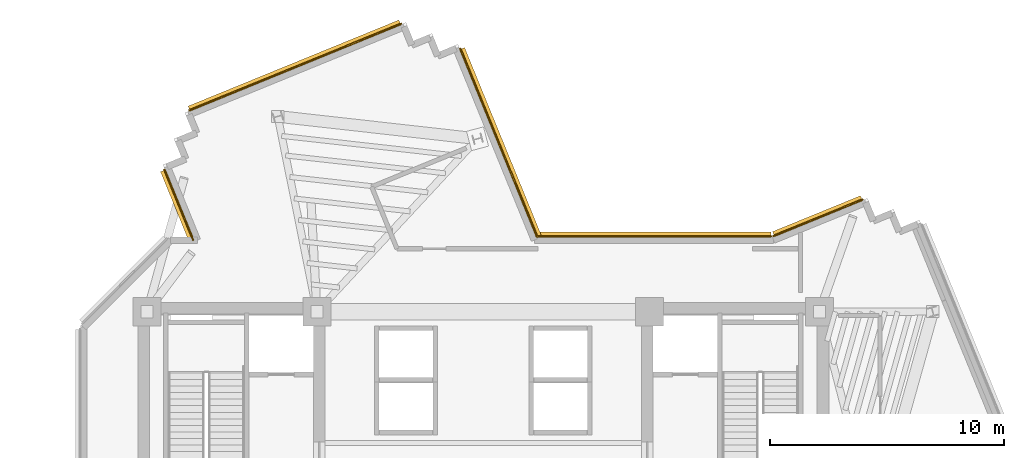
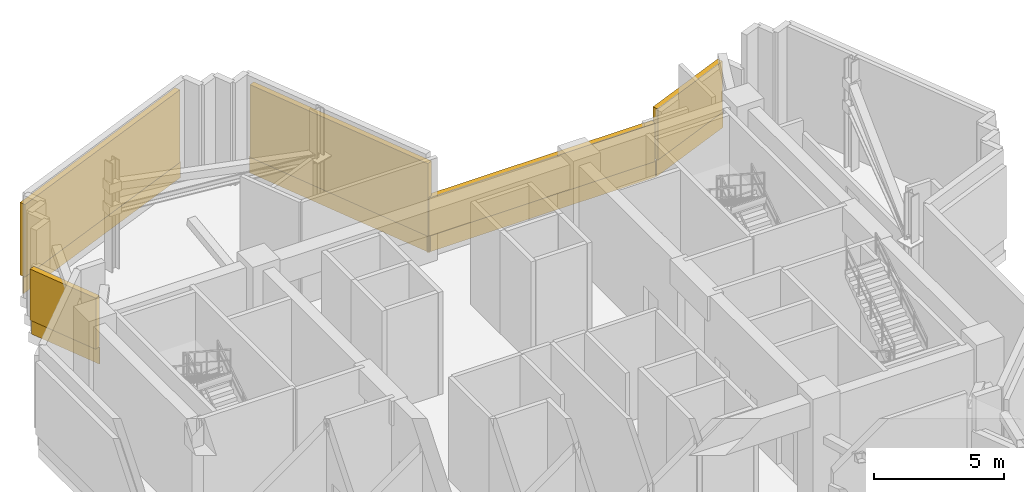
# One storey, part 11 of 11: 5 coverings, 5 shading devices.
"""IFC4 building model written with IfcOpenShell, lengths in metres."""

from ifc_helpers import new_model, si_unit, direction, frame, origin, origin_2d, place, context, subcontext, project, spatial, rectangle, extrude, source, transform, mapped, material, layer, layer_set, type_object, element, save


model = new_model("IFC4")

# Units and contexts
model_context = context("Model", 3, precision=1e-05, world=origin(), true_north=direction((0.0, 1.0)))
body_context = subcontext(model_context, "Body", "Model", "MODEL_VIEW")
ifc_project = project(units=[si_unit("LENGTHUNIT", "METRE"), si_unit("AREAUNIT", "SQUARE_METRE"), si_unit("VOLUMEUNIT", "CUBIC_METRE"), si_unit("PLANEANGLEUNIT", "RADIAN"), si_unit("MASSUNIT", "GRAM", prefix="KILO")], contexts=[model_context])

# Site, building, storey
site_placement = place(None, origin())
site = spatial("IfcSite", under=ifc_project, at=site_placement, CompositionType="ELEMENT")
building_placement = place(site_placement, origin())
building = spatial("IfcBuilding", under=site, at=building_placement, Name="Zahravan Cultural Tower", CompositionType="ELEMENT")
storey_placement = place(building_placement, frame((0.0, 0.0, 229.199951171875)))
storey = spatial("IfcBuildingStorey", under=building, at=storey_placement, Name="L54", CompositionType="ELEMENT", Elevation=229.199951171875)

# Covering
ifc_material_1 = material(Name="Terracotta ceramic cladding", Category="masonry")
ifc_layer = layer(ifc_material_1, 0.06005859375)
ifc_layer_set = layer_set([ifc_layer], Name="Terracotta ceramic cladding")
covering_type = type_object("IfcCoveringType", Name="COV-CLAD-TC60", PredefinedType="CLADDING", material=ifc_layer_set)
shared_shape_1 = source(origin(), body_context, "Body", "SweptSolid", [
    extrude(rectangle(XDim=9.820068359375, YDim=0.06005859375, at=origin_2d()), origin(), (0.0, 0.0, 1.0), 0.760009765625),
])
covering_1_placement = place(storey_placement, frame((27.968994140625, 46.64697265625, 0.02001953125), z_axis=(0.0, 0.0, 1.0), x_axis=(0.925652810583, 0.378373987294, 0.0)))
element("IfcCovering", 1, at=covering_1_placement, inside=storey, type_object=covering_type, Name="L54 Terracotta Spandrel Cladding 46", PredefinedType="CLADDING", context=body_context, shape_type="MappedRepresentation", body=[
    mapped(shared_shape_1, transform((0.0, 0.0, 0.0), x_axis=(1.0, 0.0, 0.0), y_axis=(0.0, 1.0, 0.0), z_axis=(0.0, 0.0, 1.0), scale=1.0)),
])

# Shading device
ifc_material_2 = material(Name="Architectural terracotta fin", Category="masonry")
shading_device_type = type_object("IfcShadingDeviceType", Name="SHD-LOUVRE-BAND", PredefinedType="JALOUSIE", material=ifc_material_2)
shared_shape_2 = source(origin(), body_context, "Body", "SweptSolid", [
    extrude(rectangle(XDim=9.719970703125, YDim=0.239990234375, at=origin_2d()), origin(), (0.0, 0.0, 1.0), 3.39990234375),
])
shading_device_1_placement = place(storey_placement, frame((27.9443359375, 46.70703125, 0.780029296875), z_axis=(0.0, 0.0, 1.0), x_axis=(0.925652810583, 0.378373987294, 0.0)))
element("IfcShadingDevice", 2, at=shading_device_1_placement, inside=storey, type_object=shading_device_type, Name="L54 Terracotta Acoustic Louvre 16", PredefinedType="JALOUSIE", context=body_context, shape_type="MappedRepresentation", body=[
    mapped(shared_shape_2, transform((0.0, 0.0, 0.0), x_axis=(1.0, 0.0, 0.0), y_axis=(0.0, 1.0, 0.0), z_axis=(0.0, 0.0, 1.0), scale=1.0)),
])

# Covering
shared_shape_3 = source(origin(), body_context, "Body", "SweptSolid", [
    extrude(rectangle(XDim=4.1513671875, YDim=0.06005859375, at=origin_2d()), origin(), (0.0, 0.0, 1.0), 0.760009765625),
])
covering_2_placement = place(storey_placement, frame((50.296142578125, 40.217041015625, 0.02001953125), z_axis=(0.0, 0.0, 1.0), x_axis=(0.925652810583, 0.378373987294, 0.0)))
element("IfcCovering", 3, at=covering_2_placement, inside=storey, type_object=covering_type, Name="L54 Terracotta Spandrel Cladding 01", PredefinedType="CLADDING", context=body_context, shape_type="MappedRepresentation", body=[
    mapped(shared_shape_3, transform((0.0, 0.0, 0.0), x_axis=(1.0, 0.0, 0.0), y_axis=(0.0, 1.0, 0.0), z_axis=(0.0, 0.0, 1.0), scale=1.0)),
])

# Shading device
shared_shape_4 = source(origin(), body_context, "Body", "SweptSolid", [
    extrude(rectangle(XDim=4.051513671875, YDim=0.239990234375, at=origin_2d()), origin(), (0.0, 0.0, 1.0), 2.39208984375),
])
shading_device_2_placement = place(storey_placement, frame((50.271484375, 40.277099609375, 0.780029296875), z_axis=(0.0, 0.0, 1.0), x_axis=(0.925652810583, 0.378373987294, 0.0)))
element("IfcShadingDevice", 4, at=shading_device_2_placement, inside=storey, type_object=shading_device_type, Name="L54 Terracotta Acoustic Louvre 01", PredefinedType="JALOUSIE", context=body_context, shape_type="MappedRepresentation", body=[
    mapped(shared_shape_4, transform((0.0, 0.0, 0.0), x_axis=(1.0, 0.0, 0.0), y_axis=(0.0, 1.0, 0.0), z_axis=(0.0, 0.0, 1.0), scale=1.0)),
])

# Covering
shared_shape_5 = source(origin(), body_context, "Body", "SweptSolid", [
    extrude(rectangle(XDim=3.29296875, YDim=0.06005859375, at=origin_2d()), origin(), (0.0, 0.0, 1.0), 0.760009765625),
])
covering_3_placement = place(storey_placement, frame((22.9990234375, 40.767822265625, 0.02001953125), z_axis=(0.0, 0.0, 1.0), x_axis=(-0.378390142925, 0.92564620657, 0.0)))
element("IfcCovering", 5, at=covering_3_placement, inside=storey, type_object=covering_type, Name="L54 Terracotta Spandrel Cladding 41", PredefinedType="CLADDING", context=body_context, shape_type="MappedRepresentation", body=[
    mapped(shared_shape_5, transform((0.0, 0.0, 0.0), x_axis=(1.0, 0.0, 0.0), y_axis=(0.0, 1.0, 0.0), z_axis=(0.0, 0.0, 1.0), scale=1.0)),
])

# Shading device
shared_shape_6 = source(origin(), body_context, "Body", "SweptSolid", [
    extrude(rectangle(XDim=3.19287109375, YDim=0.239990234375, at=origin_2d()), origin(), (0.0, 0.0, 1.0), 2.39208984375),
])
shading_device_3_placement = place(storey_placement, frame((22.938720703125, 40.743408203125, 0.780029296875), z_axis=(0.0, 0.0, 1.0), x_axis=(-0.378390142925, 0.92564620657, 0.0)))
element("IfcShadingDevice", 6, at=shading_device_3_placement, inside=storey, type_object=shading_device_type, Name="L54 Terracotta Acoustic Louvre 15", PredefinedType="JALOUSIE", context=body_context, shape_type="MappedRepresentation", body=[
    mapped(shared_shape_6, transform((0.0, 0.0, 0.0), x_axis=(1.0, 0.0, 0.0), y_axis=(0.0, 1.0, 0.0), z_axis=(0.0, 0.0, 1.0), scale=1.0)),
])

# Covering
shared_shape_7 = source(origin(), body_context, "Body", "SweptSolid", [
    extrude(rectangle(XDim=8.73779296875, YDim=0.06005859375, at=origin_2d()), origin(), (0.0, 0.0, 1.0), 0.760009765625),
])
covering_4_placement = place(storey_placement, frame((36.6640625, 43.41259765625, 0.02001953125), z_axis=(0.0, 0.0, 1.0), x_axis=(0.378373987294, -0.925652810583, 0.0)))
element("IfcCovering", 7, at=covering_4_placement, inside=storey, type_object=covering_type, Name="L54 Terracotta Spandrel Cladding 51", PredefinedType="CLADDING", context=body_context, shape_type="MappedRepresentation", body=[
    mapped(shared_shape_7, transform((0.0, 0.0, 0.0), x_axis=(1.0, 0.0, 0.0), y_axis=(0.0, 1.0, 0.0), z_axis=(0.0, 0.0, 1.0), scale=1.0)),
])

# Shading device
shared_shape_8 = source(origin(), body_context, "Body", "SweptSolid", [
    extrude(rectangle(XDim=8.6376953125, YDim=0.239990234375, at=origin_2d()), origin(), (0.0, 0.0, 1.0), 3.39990234375),
])
shading_device_4_placement = place(storey_placement, frame((36.724365234375, 43.437255859375, 0.780029296875), z_axis=(0.0, 0.0, 1.0), x_axis=(0.378373987294, -0.925652810583, 0.0)))
element("IfcShadingDevice", 8, at=shading_device_4_placement, inside=storey, type_object=shading_device_type, Name="L54 Terracotta Acoustic Louvre 17", PredefinedType="JALOUSIE", context=body_context, shape_type="MappedRepresentation", body=[
    mapped(shared_shape_8, transform((0.0, 0.0, 0.0), x_axis=(1.0, 0.0, 0.0), y_axis=(0.0, 1.0, 0.0), z_axis=(0.0, 0.0, 1.0), scale=1.0)),
])

# Covering
shared_shape_9 = source(origin(), body_context, "Body", "SweptSolid", [
    extrude(rectangle(XDim=10.107666015625, YDim=0.06005859375, at=origin_2d()), origin(), (0.0, 0.0, 1.0), 0.760009765625),
])
covering_5_placement = place(storey_placement, frame((43.287109375, 39.425048828125, 0.02001953125), z_axis=(0.0, 0.0, 1.0), x_axis=(1.0, 0.0, 0.0)))
element("IfcCovering", 9, at=covering_5_placement, inside=storey, type_object=covering_type, Name="L54 Terracotta Spandrel Cladding 52", PredefinedType="CLADDING", context=body_context, shape_type="MappedRepresentation", body=[
    mapped(shared_shape_9, transform((0.0, 0.0, 0.0), x_axis=(1.0, 0.0, 0.0), y_axis=(0.0, 1.0, 0.0), z_axis=(0.0, 0.0, 1.0), scale=1.0)),
])

# Shading device
shared_shape_10 = source(origin(), body_context, "Body", "SweptSolid", [
    extrude(rectangle(XDim=10.007568359375, YDim=0.239990234375, at=origin_2d()), origin(), (0.0, 0.0, 1.0), 1.7919921875),
])
shading_device_5_placement = place(storey_placement, frame((43.287109375, 39.489990234375, 0.780029296875), z_axis=(0.0, 0.0, 1.0), x_axis=(1.0, 0.0, 0.0)))
element("IfcShadingDevice", 10, at=shading_device_5_placement, inside=storey, type_object=shading_device_type, Name="L54 Terracotta Acoustic Louvre 18", PredefinedType="JALOUSIE", context=body_context, shape_type="MappedRepresentation", body=[
    mapped(shared_shape_10, transform((0.0, 0.0, 0.0), x_axis=(1.0, 0.0, 0.0), y_axis=(0.0, 1.0, 0.0), z_axis=(0.0, 0.0, 1.0), scale=1.0)),
])

save(model, "model.ifc")
